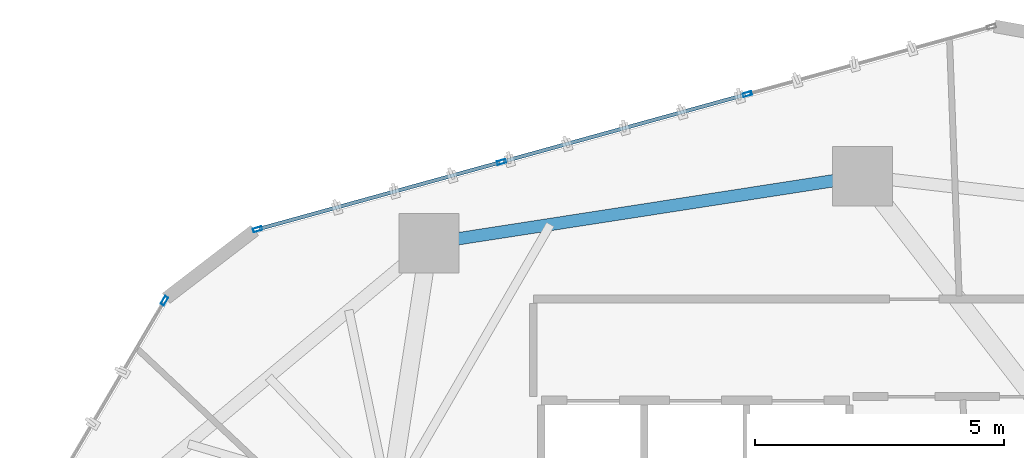
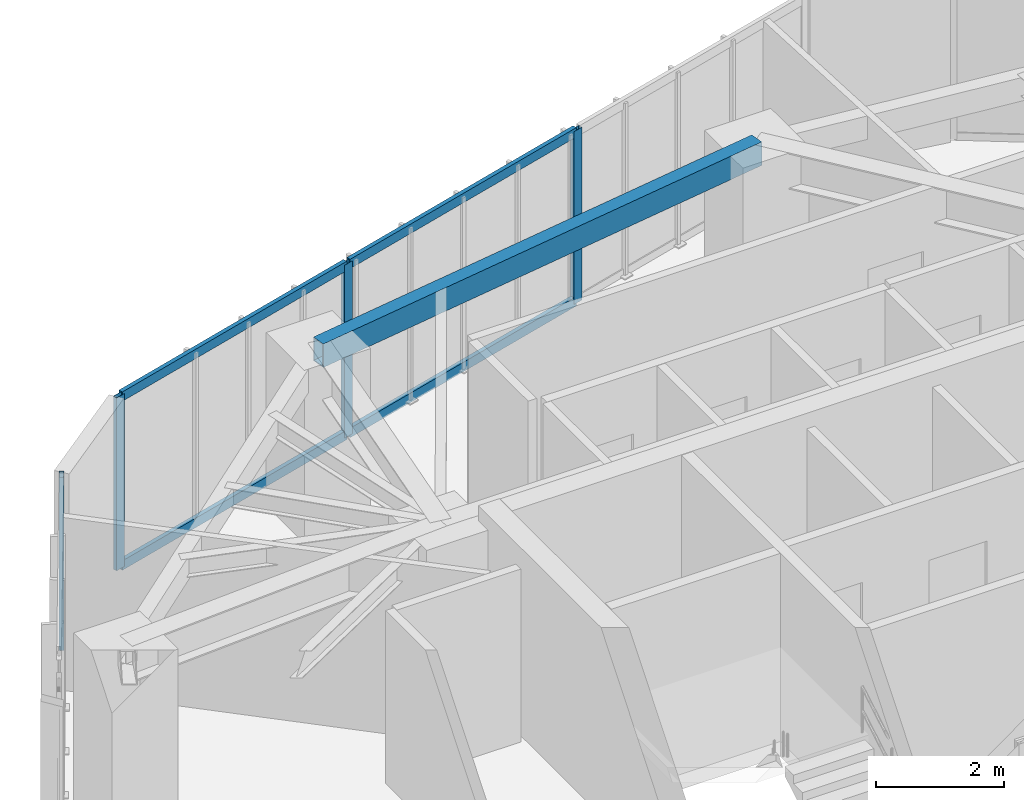
# One storey, part 12 of 20: 8 members, 1 beam, 2 elements without a shape of their own.
"""IFC4 building model written with IfcOpenShell, lengths in metres."""

from ifc_helpers import new_model, si_unit, direction, frame, origin, origin_2d, place, context, subcontext, project, spatial, hollow_rectangle, extrude, source, transform, mapped, material, layer, layer_set, material_profile, profile_set, type_object, type_shapes, element, aggregate, save


model = new_model("IFC4")

# Units and contexts
model_context = context("Model", 3, precision=1e-05, world=origin(), true_north=direction((0.0, 1.0)))
body_context = subcontext(model_context, "Body", "Model", "MODEL_VIEW")
ifc_project = project(units=[si_unit("LENGTHUNIT", "METRE"), si_unit("AREAUNIT", "SQUARE_METRE"), si_unit("VOLUMEUNIT", "CUBIC_METRE"), si_unit("PLANEANGLEUNIT", "RADIAN"), si_unit("MASSUNIT", "GRAM", prefix="KILO")], contexts=[model_context])

# Site, building, storey
site_placement = place(None, origin())
site = spatial("IfcSite", under=ifc_project, at=site_placement, CompositionType="ELEMENT")
building_placement = place(site_placement, origin())
building = spatial("IfcBuilding", under=site, at=building_placement, Name="Talar Marvaseh", CompositionType="ELEMENT")
storey_placement = place(building_placement, frame((0.0, 0.0, 136.199951171875)))
storey = spatial("IfcBuildingStorey", under=building, at=storey_placement, Name="L35", CompositionType="ELEMENT", Elevation=136.199951171875)

# Beam
ifc_material_1 = material(Name="Steel S355", Category="steel")
ifc_material_profile_1 = material_profile(ifc_material_1, hollow_rectangle(XDim=0.25, YDim=0.449951171875, WallThickness=0.01611328125, at=origin_2d()), Name="RHS450x250x16")
ifc_profile_set_1 = profile_set([ifc_material_profile_1], Name="Steel S355")
beam_type = type_object("IfcBeamType", Name="Zone 2 Perimeter Spandrel Beam RHS450x250x16", PredefinedType="SPANDREL", material=ifc_profile_set_1)
beam_placement = place(storey_placement, frame((19.5009765625, 42.123046875, 3.0849609375), z_axis=(0.988248879948, 0.152853365295, 0.0), x_axis=(-0.152853365295, 0.988248879948, 0.0)))
element("IfcBeam", 1, at=beam_placement, inside=storey, type_object=beam_type, Name="L35 Zone 2 Perimeter Spandrel Beam RHS450x250x16", PredefinedType="SPANDREL", context=body_context, shape_type="SweptSolid", body=[
    extrude(hollow_rectangle(XDim=0.25, YDim=0.449951171875, WallThickness=0.01611328125, at=origin_2d()), origin(), (0.0, 0.0, 1.0), 8.82470703125),
])

# Curtain wall, member
ifc_material_2 = material(Name="Architectural Aluminium", Category="aluminium")
ifc_layer = layer(ifc_material_2, 0.199951171875)
ifc_layer_set = layer_set([ifc_layer], Name="Architectural Aluminium")
curtain_wall_type = type_object("IfcCurtainWallType", Name="Unitised Acoustic Library Curtain Wall Z2", PredefinedType="NOTDEFINED", material=ifc_layer_set)
curtain_wall_1_placement = place(storey_placement, origin())
curtain_wall_1 = element("IfcCurtainWall", 2, at=curtain_wall_1_placement, inside=storey, type_object=curtain_wall_type, Name="L35 Unitised Acoustic Library Curtain Wall Z2", PredefinedType="NOTDEFINED")
ifc_material_profile_2 = material_profile(ifc_material_2, hollow_rectangle(XDim=0.074951171875, YDim=0.179931640625, WallThickness=0.0048828125, at=origin_2d()), Name="RHS180x75x5")
ifc_profile_set_2 = profile_set([ifc_material_profile_2], Name="Architectural Aluminium")
member_type_1 = type_object("IfcMemberType", Name="Unitised Curtain Wall Standard Mullion RHS180x75x5", PredefinedType="MULLION", material=ifc_profile_set_2)
shared_shape_1 = source(origin(), body_context, "Body", "SweptSolid", [
    extrude(hollow_rectangle(XDim=0.074951171875, YDim=0.179931640625, WallThickness=0.0048828125, at=origin_2d()), origin(), (0.0, 0.0, 1.0), 3.31005859375),
])
type_shapes(member_type_1, [shared_shape_1])
member_1_placement = place(storey_placement, frame((14.18017578125, 40.966064453125, 0.0), z_axis=(0.0, 0.0, 1.0), x_axis=(-0.862232890968, 0.506512035131, 0.0)))
member_1 = element("IfcMember", 3, at=member_1_placement, type_object=member_type_1, Name="CW-Z2 mullion 4", PredefinedType="MULLION", context=body_context, shape_type="MappedRepresentation", body=[
    mapped(shared_shape_1, transform((0.0, 0.0, 0.0), x_axis=(1.0, 0.0, 0.0), y_axis=(0.0, 1.0, 0.0), z_axis=(0.0, 0.0, 1.0), scale=1.0)),
])
aggregate(curtain_wall_1, [member_1])

# Curtain wall, members
curtain_wall_2_placement = place(storey_placement, origin())
curtain_wall_2 = element("IfcCurtainWall", 4, at=curtain_wall_2_placement, inside=storey, type_object=curtain_wall_type, Name="L35 Unitised Acoustic Library Curtain Wall Z2", PredefinedType="NOTDEFINED")
member_2_placement = place(storey_placement, frame((16.052001953125, 42.40234375, 0.0), z_axis=(0.0, 0.0, 1.0), x_axis=(-0.2660922328, 0.963947573078, 0.0)))
member_2 = element("IfcMember", 5, at=member_2_placement, type_object=member_type_1, Name="CW-Z2 mullion 1", PredefinedType="MULLION", context=body_context, shape_type="MappedRepresentation", body=[
    mapped(shared_shape_1, transform((0.0, 0.0, 0.0), x_axis=(1.0, 0.0, 0.0), y_axis=(0.0, 1.0, 0.0), z_axis=(0.0, 0.0, 1.0), scale=1.0)),
])
member_3_placement = place(storey_placement, frame((20.9609375, 43.757568359375, 0.0), z_axis=(0.0, 0.0, 1.0), x_axis=(-0.2660922328, 0.963947573078, 0.0)))
member_3 = element("IfcMember", 6, at=member_3_placement, type_object=member_type_1, Name="CW-Z2 mullion 2", PredefinedType="MULLION", context=body_context, shape_type="MappedRepresentation", body=[
    mapped(shared_shape_1, transform((0.0, 0.0, 0.0), x_axis=(1.0, 0.0, 0.0), y_axis=(0.0, 1.0, 0.0), z_axis=(0.0, 0.0, 1.0), scale=1.0)),
])
member_4_placement = place(storey_placement, frame((25.906005859375, 45.12255859375, 0.0), z_axis=(0.0, 0.0, 1.0), x_axis=(-0.2660922328, 0.963947573078, 0.0)))
member_4 = element("IfcMember", 7, at=member_4_placement, type_object=member_type_1, Name="CW-Z2 mullion 3", PredefinedType="MULLION", context=body_context, shape_type="MappedRepresentation", body=[
    mapped(shared_shape_1, transform((0.0, 0.0, 0.0), x_axis=(1.0, 0.0, 0.0), y_axis=(0.0, 1.0, 0.0), z_axis=(0.0, 0.0, 1.0), scale=1.0)),
])
ifc_material_profile_3 = material_profile(ifc_material_2, hollow_rectangle(XDim=0.074951171875, YDim=0.179931640625, WallThickness=0.0048828125, at=origin_2d()), Name="RHS180x75x5")
ifc_profile_set_3 = profile_set([ifc_material_profile_3], Name="Architectural Aluminium")
member_type_2 = type_object("IfcMemberType", Name="Unitised Curtain Wall Transom RHS180x75x5", PredefinedType="USERDEFINED", material=ifc_profile_set_3)
shared_shape_2 = source(origin(), body_context, "Body", "SweptSolid", [
    extrude(hollow_rectangle(XDim=0.074951171875, YDim=0.179931640625, WallThickness=0.0048828125, at=origin_2d()), origin(), (0.0, 0.0, 1.0), 5.017578125),
])
member_5_placement = place(storey_placement, frame((16.088134765625, 42.412353515625, 0.03759765625), z_axis=(0.963943998861, 0.266105180444, 0.0), x_axis=(-0.266105180444, 0.963943998861, 0.0)))
member_5 = element("IfcMember", 8, at=member_5_placement, type_object=member_type_2, Name="CW-Z2 transom 1.1", ObjectType="TRANSOM", PredefinedType="USERDEFINED", context=body_context, shape_type="MappedRepresentation", body=[
    mapped(shared_shape_2, transform((0.0, 0.0, 0.0), x_axis=(1.0, 0.0, 0.0), y_axis=(0.0, 1.0, 0.0), z_axis=(0.0, 0.0, 1.0), scale=1.0)),
])
member_6_placement = place(storey_placement, frame((16.088134765625, 42.412353515625, 3.2724609375), z_axis=(0.963943998861, 0.266105180444, 0.0), x_axis=(-0.266105180444, 0.963943998861, 0.0)))
member_6 = element("IfcMember", 9, at=member_6_placement, type_object=member_type_2, Name="CW-Z2 transom 1.2", ObjectType="TRANSOM", PredefinedType="USERDEFINED", context=body_context, shape_type="MappedRepresentation", body=[
    mapped(shared_shape_2, transform((0.0, 0.0, 0.0), x_axis=(1.0, 0.0, 0.0), y_axis=(0.0, 1.0, 0.0), z_axis=(0.0, 0.0, 1.0), scale=1.0)),
])
shared_shape_3 = source(origin(), body_context, "Body", "SweptSolid", [
    extrude(hollow_rectangle(XDim=0.074951171875, YDim=0.179931640625, WallThickness=0.0048828125, at=origin_2d()), origin(), (0.0, 0.0, 1.0), 5.05517578125),
])
type_shapes(member_type_2, [shared_shape_2, shared_shape_3])
member_7_placement = place(storey_placement, frame((20.9970703125, 43.767333984375, 0.03759765625), z_axis=(0.963942223521, 0.266111611383, 0.0), x_axis=(-0.266111611383, 0.963942223521, 0.0)))
member_7 = element("IfcMember", 10, at=member_7_placement, type_object=member_type_2, Name="CW-Z2 transom 2.1", ObjectType="TRANSOM", PredefinedType="USERDEFINED", context=body_context, shape_type="MappedRepresentation", body=[
    mapped(shared_shape_3, transform((0.0, 0.0, 0.0), x_axis=(1.0, 0.0, 0.0), y_axis=(0.0, 1.0, 0.0), z_axis=(0.0, 0.0, 1.0), scale=1.0)),
])
member_8_placement = place(storey_placement, frame((20.9970703125, 43.767333984375, 3.2724609375), z_axis=(0.963942223521, 0.266111611383, 0.0), x_axis=(-0.266111611383, 0.963942223521, 0.0)))
member_8 = element("IfcMember", 11, at=member_8_placement, type_object=member_type_2, Name="CW-Z2 transom 2.2", ObjectType="TRANSOM", PredefinedType="USERDEFINED", context=body_context, shape_type="MappedRepresentation", body=[
    mapped(shared_shape_3, transform((0.0, 0.0, 0.0), x_axis=(1.0, 0.0, 0.0), y_axis=(0.0, 1.0, 0.0), z_axis=(0.0, 0.0, 1.0), scale=1.0)),
])
aggregate(curtain_wall_2, [member_2, member_3, member_4, member_5, member_6, member_7, member_8])

save(model, "model.ifc")
